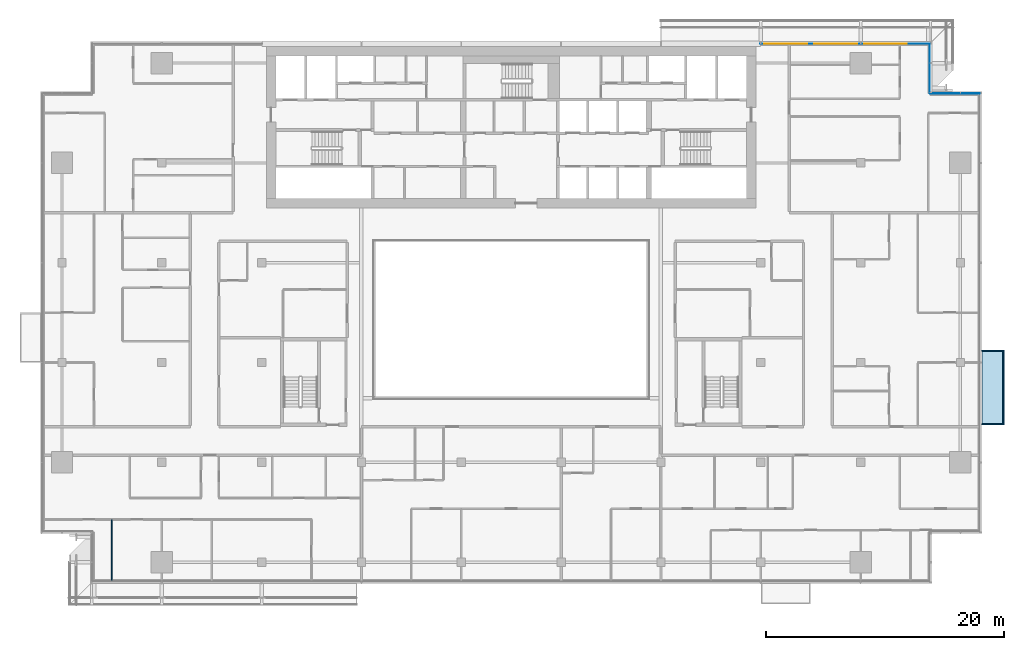
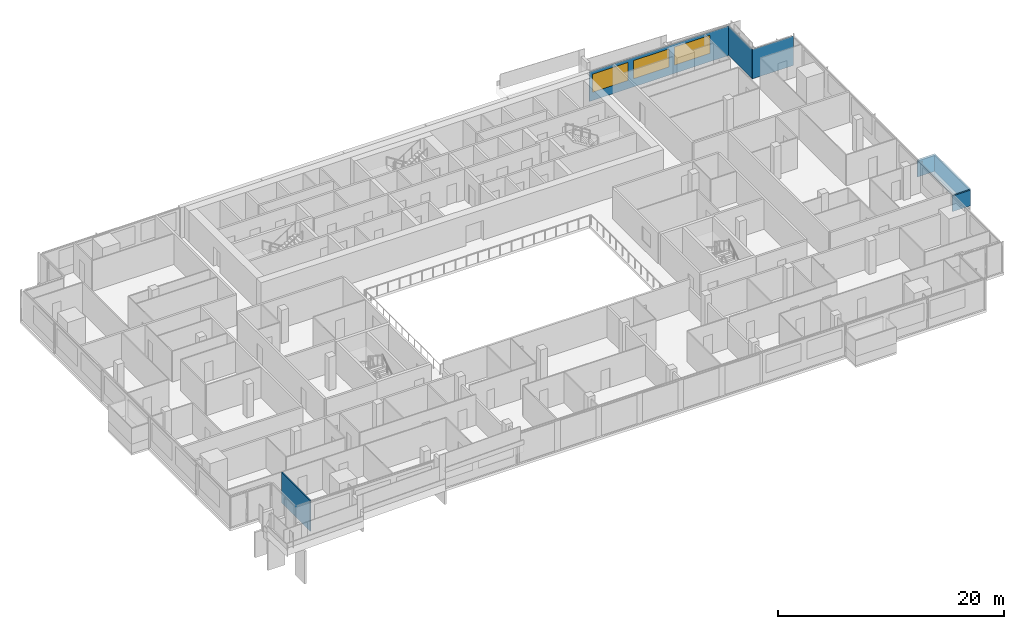
# One storey, part 16 of 30: 5 plates, 3 windows, 1 wall, 3 openings, 3 elements without a shape of their own.
"""IFC4 building model written with IfcOpenShell, lengths in metres."""

from ifc_helpers import new_model, si_unit, direction, frame, frame_2d, origin, place, context, subcontext, project, spatial, polyline, rectangle, outline, extrude, material, layer, layer_set, type_object, element, fill, aggregate, save


model = new_model("IFC4")

# Units and contexts
model_context = context("Model", 3, precision=1e-05, world=origin(), true_north=direction((0.0, 1.0)))
body_context = subcontext(model_context, "Body", "Model", "MODEL_VIEW")
ifc_project = project(units=[si_unit("LENGTHUNIT", "METRE"), si_unit("AREAUNIT", "SQUARE_METRE"), si_unit("VOLUMEUNIT", "CUBIC_METRE"), si_unit("PLANEANGLEUNIT", "RADIAN"), si_unit("MASSUNIT", "GRAM", prefix="KILO")], contexts=[model_context])

# Site, building, storey
site_placement = place(None, origin())
site = spatial("IfcSite", under=ifc_project, at=site_placement, CompositionType="ELEMENT")
building_placement = place(site_placement, origin())
building = spatial("IfcBuilding", under=site, at=building_placement, Name="Saffron Gate Tower", CompositionType="ELEMENT")
storey_placement = place(building_placement, frame((0.0, 0.0, 169.050048828125)))
storey = spatial("IfcBuildingStorey", under=building, at=storey_placement, Name="L41", CompositionType="ELEMENT", Elevation=169.050048828125)

# Curtain wall, plate, openings, windows
ifc_material_1 = material(Name="Aluminium, bronze anodised", Category="aluminium")
curtain_wall_type_1 = type_object("IfcCurtainWallType", Name="CWS3 curtain wall rear facade", PredefinedType="NOTDEFINED", material=ifc_material_1)
curtain_wall_1_placement = place(storey_placement, origin())
curtain_wall_1 = element("IfcCurtainWall", 1, at=curtain_wall_1_placement, inside=storey, type_object=curtain_wall_type_1, Name="CWS3 run 7", PredefinedType="NOTDEFINED")
ifc_material_2 = material(Name="Fritted grey-tinted laminated glass", Category="glass")
ifc_layer_1 = layer(ifc_material_2, 0.028076171875)
ifc_layer_set_1 = layer_set([ifc_layer_1], Name="CWS3 fixed glass")
plate_type_1 = type_object("IfcPlateType", Name="CWS3 fixed glass", PredefinedType="CURTAIN_PANEL", material=ifc_layer_set_1)
plate_1_placement = place(storey_placement, frame((122.81201171875, 75.426025390625, 0.0), z_axis=(0.0, 0.0, 1.0), x_axis=(-1.0, 0.0, 0.0)))
plate_1 = element("IfcPlate", 2, at=plate_1_placement, type_object=plate_type_1, Name="CWS3 glass panel", PredefinedType="CURTAIN_PANEL", context=body_context, shape_type="SweptSolid", body=[
    extrude(rectangle(XDim=14.2470703125, YDim=0.028076171875, at=frame_2d((7.12353515625, 0.0))), origin(), (0.0, 0.0, 1.0), 3.199951171875),
])
opening_1_placement = place(plate_1_placement, frame((1.912109375, 0.0, 0.89990234375)))
opening_1 = element("IfcOpeningElement", 3, at=opening_1_placement, cuts=plate_1, Name="Opening W1", PredefinedType="OPENING", context=body_context, shape_type="SweptSolid", body=[
    extrude(rectangle(XDim=3.60009765625, YDim=1.949951171875, at=frame_2d((1.800048828125, 0.97509765625))), frame((0.0, 0.02392578125, 0.0), z_axis=(0.0, -1.0, 0.0), x_axis=(1.0, 0.0, 0.0)), (0.0, 0.0, 1.0), 0.048095703125),
])
opening_2_placement = place(plate_1_placement, frame((6.112060546875, 0.0, 0.89990234375)))
opening_2 = element("IfcOpeningElement", 4, at=opening_2_placement, cuts=plate_1, Name="Opening W1", PredefinedType="OPENING", context=body_context, shape_type="SweptSolid", body=[
    extrude(rectangle(XDim=3.60009765625, YDim=1.949951171875, at=frame_2d((1.800048828125, 0.97509765625))), frame((0.0, 0.02392578125, 0.0), z_axis=(0.0, -1.0, 0.0), x_axis=(1.0, 0.0, 0.0)), (0.0, 0.0, 1.0), 0.048095703125),
])
opening_3_placement = place(plate_1_placement, frame((10.31201171875, 0.0, 0.89990234375)))
opening_3 = element("IfcOpeningElement", 5, at=opening_3_placement, cuts=plate_1, Name="Opening W1", PredefinedType="OPENING", context=body_context, shape_type="SweptSolid", body=[
    extrude(rectangle(XDim=3.60009765625, YDim=1.949951171875, at=frame_2d((1.800048828125, 0.97509765625))), frame((0.0, 0.02392578125, 0.0), z_axis=(0.0, -1.0, 0.0), x_axis=(1.0, 0.0, 0.0)), (0.0, 0.0, 1.0), 0.048095703125),
])
ifc_material_3 = material(Name="Fritted bronze-tinted laminated glass in bronze frame", Category="glass")
ifc_layer_2 = layer(ifc_material_3, 0.06005859375)
ifc_layer_set_2 = layer_set([ifc_layer_2], Name="W1 operable panel 3600x1950")
window_type = type_object("IfcWindowType", Name="W1 operable panel 3600x1950", PartitioningType="DOUBLE_PANEL_HORIZONTAL", PredefinedType="WINDOW", material=ifc_layer_set_2)
window_1_placement = place(opening_1_placement, origin())
window_1 = element("IfcWindow", 6, at=window_1_placement, type_object=window_type, Name="W1 operable panel", OverallHeight=1.949951171875, OverallWidth=3.60009765625, PartitioningType="SINGLE_PANEL", PredefinedType="WINDOW", context=body_context, shape_type="SweptSolid", body=[
    extrude(rectangle(XDim=3.60009765625, YDim=1.949951171875, at=frame_2d((1.800048828125, 0.97509765625))), frame((0.0, 0.013671875, 0.0), z_axis=(0.0, -1.0, 0.0), x_axis=(1.0, 0.0, 0.0)), (0.0, 0.0, 1.0), 0.027587890625),
])
fill(opening_1, window_1)
window_2_placement = place(opening_2_placement, origin())
window_2 = element("IfcWindow", 7, at=window_2_placement, type_object=window_type, Name="W1 operable panel", OverallHeight=1.949951171875, OverallWidth=3.60009765625, PartitioningType="SINGLE_PANEL", PredefinedType="WINDOW", context=body_context, shape_type="SweptSolid", body=[
    extrude(rectangle(XDim=3.60009765625, YDim=1.949951171875, at=frame_2d((1.800048828125, 0.97509765625))), frame((0.0, 0.013671875, 0.0), z_axis=(0.0, -1.0, 0.0), x_axis=(1.0, 0.0, 0.0)), (0.0, 0.0, 1.0), 0.027587890625),
])
fill(opening_2, window_2)
window_3_placement = place(opening_3_placement, origin())
window_3 = element("IfcWindow", 8, at=window_3_placement, type_object=window_type, Name="W1 operable panel", OverallHeight=1.949951171875, OverallWidth=3.60009765625, PartitioningType="SINGLE_PANEL", PredefinedType="WINDOW", context=body_context, shape_type="SweptSolid", body=[
    extrude(rectangle(XDim=3.60009765625, YDim=1.949951171875, at=frame_2d((1.800048828125, 0.97509765625))), frame((0.0, 0.013671875, 0.0), z_axis=(0.0, -1.0, 0.0), x_axis=(1.0, 0.0, 0.0)), (0.0, 0.0, 1.0), 0.027587890625),
])
fill(opening_3, window_3)
aggregate(curtain_wall_1, [plate_1, window_1, window_2, window_3])

# Curtain wall, plate
curtain_wall_type_2 = type_object("IfcCurtainWallType", Name="CWS4 curtain wall corner returns", PredefinedType="NOTDEFINED", material=ifc_material_1)
curtain_wall_2_placement = place(storey_placement, origin())
curtain_wall_2 = element("IfcCurtainWall", 9, at=curtain_wall_2_placement, inside=storey, type_object=curtain_wall_type_2, Name="CWS4 run 5", PredefinedType="NOTDEFINED")
ifc_material_4 = material(Name="Fritted bronze-tinted laminated glass", Category="glass")
ifc_layer_3 = layer(ifc_material_4, 0.028076171875)
ifc_layer_set_3 = layer_set([ifc_layer_3], Name="CWS4 fixed glass")
plate_type_2 = type_object("IfcPlateType", Name="CWS4 fixed glass", PredefinedType="CURTAIN_PANEL", material=ifc_layer_set_3)
plate_2_placement = place(storey_placement, frame((127.011962890625, 71.22607421875, 0.0), z_axis=(0.0, 0.0, 1.0), x_axis=(-1.0, 0.0, 0.0)))
plate_2 = element("IfcPlate", 10, at=plate_2_placement, type_object=plate_type_2, Name="CWS4 glass panel", PredefinedType="CURTAIN_PANEL", context=body_context, shape_type="SweptSolid", body=[
    extrude(rectangle(XDim=4.171875, YDim=0.028076171875, at=frame_2d((2.0859375, 0.0))), origin(), (0.0, 0.0, 1.0), 3.199951171875),
])
aggregate(curtain_wall_2, [plate_2])

curtain_wall_3_placement = place(storey_placement, origin())
curtain_wall_3 = element("IfcCurtainWall", 11, at=curtain_wall_3_placement, inside=storey, type_object=curtain_wall_type_2, Name="CWS4 run 6", PredefinedType="NOTDEFINED")
plate_3_placement = place(storey_placement, frame((122.825927734375, 71.239990234375, 0.0), z_axis=(0.0, 0.0, 1.0), x_axis=(0.0, 1.0, 0.0)))
plate_3 = element("IfcPlate", 12, at=plate_3_placement, type_object=plate_type_2, Name="CWS4 glass panel", PredefinedType="CURTAIN_PANEL", context=body_context, shape_type="SweptSolid", body=[
    extrude(rectangle(XDim=4.172119140625, YDim=0.028076171875, at=frame_2d((2.0859375, 0.0))), origin(), (0.0, 0.0, 1.0), 3.199951171875),
])
aggregate(curtain_wall_3, [plate_3])

# Plates
ifc_layer_4 = layer(ifc_material_1, 0.1201171875)
ifc_layer_set_4 = layer_set([ifc_layer_4], Name="WB2 box roof")
plate_type_3 = type_object("IfcPlateType", Name="WB2 box roof", PredefinedType="SHEET", material=ifc_layer_set_4)
plate_4_placement = place(storey_placement, frame((0.0, 0.0, 2.699951171875)))
element("IfcPlate", 13, at=plate_4_placement, inside=storey, type_object=plate_type_3, Name="WINDOW BOX roof", PredefinedType="SHEET", context=body_context, shape_type="SweptSolid", body=[
    extrude(outline(polyline([(127.199951171875, 43.35009765625), (127.199951171875, 49.64990234375), (129.06689453125, 49.64990234375), (129.06689453125, 43.35009765625), (127.199951171875, 43.35009765625)])), origin(), (0.0, 0.0, 1.0), 0.1201171875),
])
ifc_material_5 = material(Name="Clear low-iron laminated glass", Category="glass")
ifc_layer_5 = layer(ifc_material_5, 0.10009765625)
ifc_layer_set_5 = layer_set([ifc_layer_5], Name="WB6 box glazing")
plate_type_4 = type_object("IfcPlateType", Name="WB6 box glazing", PredefinedType="SHEET", material=ifc_layer_set_5)
plate_5_placement = place(storey_placement, frame((0.0, 0.0, 1.0)))
element("IfcPlate", 14, at=plate_5_placement, inside=storey, type_object=plate_type_4, Name="WINDOW BOX glazing", PredefinedType="SHEET", context=body_context, shape_type="SweptSolid", body=[
    extrude(outline(polyline([(127.199951171875, 43.35009765625), (127.199951171875, 43.449951171875), (128.967041015625, 43.449951171875), (128.967041015625, 49.550048828125), (127.199951171875, 49.550048828125), (127.199951171875, 49.64990234375), (129.06689453125, 49.64990234375), (129.06689453125, 43.35009765625), (127.199951171875, 43.35009765625)])), origin(), (0.0, 0.0, 1.0), 1.699951171875),
])

# Wall
ifc_material_6 = material(Name="Plasterboard on steel studs", Category="steel")
ifc_layer_6 = layer(ifc_material_6, 0.10009765625)
ifc_layer_set_6 = layer_set([ifc_layer_6], Name="PW1 Partition 100")
wall_type = type_object("IfcWallType", Name="PW1 Partition 100", PredefinedType="PARTITIONING", material=ifc_layer_set_6)
wall_placement = place(storey_placement, frame((54.0, 35.35009765625, 0.0), z_axis=(0.0, 0.0, 1.0), x_axis=(0.0, -1.0, 0.0)))
element("IfcWall", 15, at=wall_placement, inside=storey, type_object=wall_type, Name="Partition C3-60", PredefinedType="PARTITIONING", context=body_context, shape_type="SweptSolid", body=[
    extrude(rectangle(XDim=5.070068359375, YDim=0.10009765625, at=frame_2d((2.53515625, 0.0))), origin(), (0.0, 0.0, 1.0), 3.320068359375),
])

save(model, "model.ifc")
